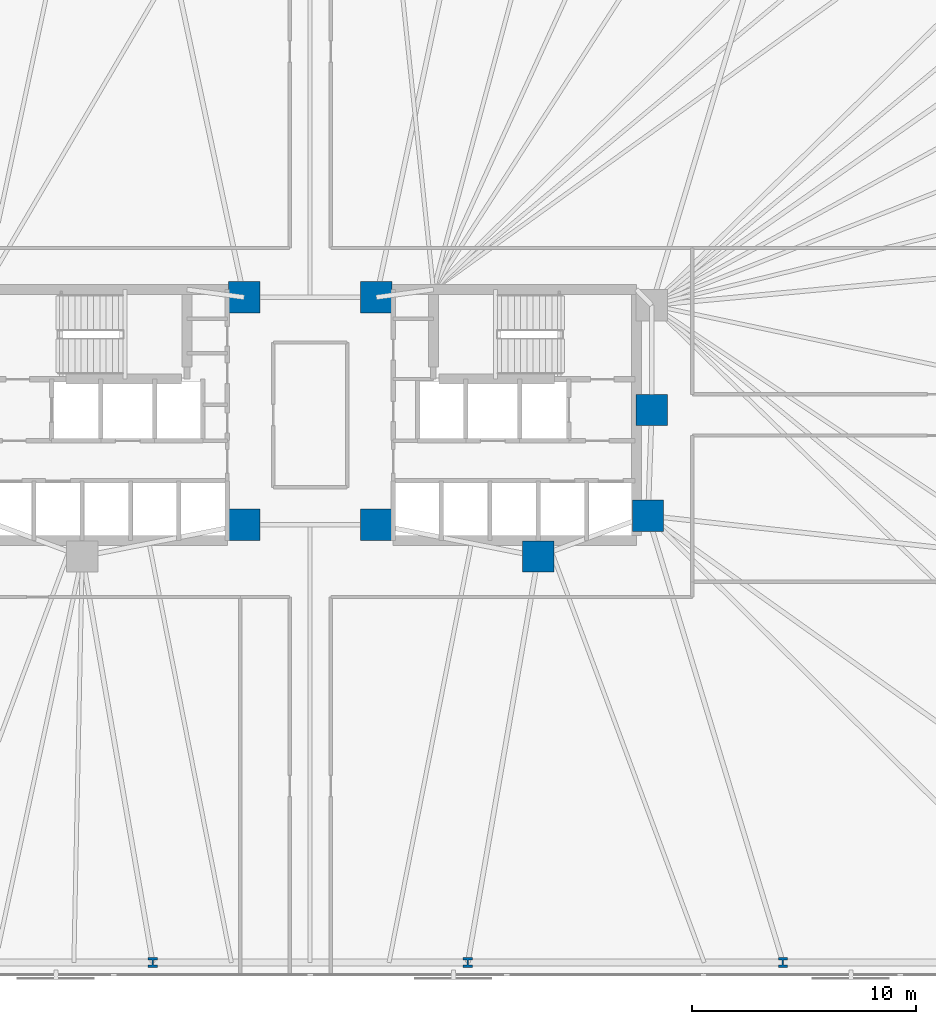
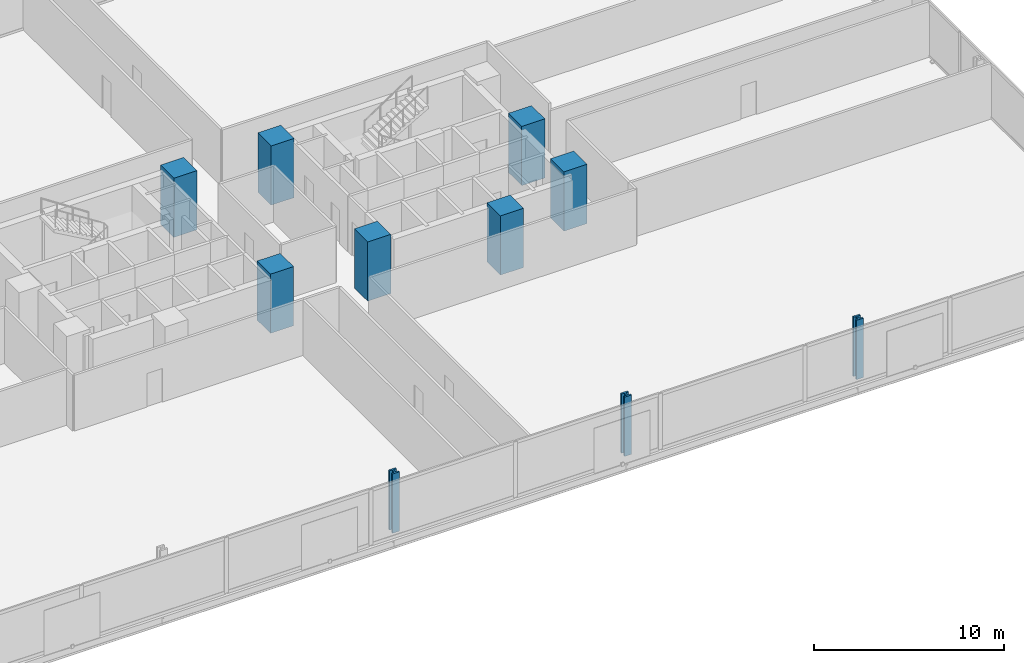
# One storey, part 3 of 16: 10 columns.
"""IFC4 building model written with IfcOpenShell, lengths in metres."""

from ifc_helpers import new_model, si_unit, direction, frame, origin, origin_2d, place, context, subcontext, project, spatial, rectangle, i_section, extrude, material, material_profile, profile_set, type_object, element, save


model = new_model("IFC4")

# Units and contexts
model_context = context("Model", 3, precision=1e-05, world=origin(), true_north=direction((0.0, 1.0)))
body_context = subcontext(model_context, "Body", "Model", "MODEL_VIEW")
ifc_project = project(units=[si_unit("LENGTHUNIT", "METRE"), si_unit("AREAUNIT", "SQUARE_METRE"), si_unit("VOLUMEUNIT", "CUBIC_METRE"), si_unit("PLANEANGLEUNIT", "RADIAN"), si_unit("MASSUNIT", "GRAM", prefix="KILO")], contexts=[model_context])

# Site, building, storey
site_placement = place(None, origin())
site = spatial("IfcSite", under=ifc_project, at=site_placement, CompositionType="ELEMENT")
building_placement = place(site_placement, origin())
building = spatial("IfcBuilding", under=site, at=building_placement, Name="Menara Jurai Vektor", CompositionType="ELEMENT")
storey_placement = place(building_placement, frame((0.0, 0.0, 67.39990234375)))
storey = spatial("IfcBuildingStorey", under=building, at=storey_placement, Name="L16", CompositionType="ELEMENT", Elevation=67.39990234375)

# Columns
ifc_material_1 = material(Name="Concrete C60/75", Category="concrete")
ifc_material_profile_1 = material_profile(ifc_material_1, rectangle(XDim=1.39990234375, YDim=1.39990234375, at=origin_2d()), Name="RC 1400x1400")
ifc_profile_set_1 = profile_set([ifc_material_profile_1], Name="Concrete C60/75")
column_type_1 = type_object("IfcColumnType", Name="STR-COL-RC1400", PredefinedType="COLUMN", material=ifc_profile_set_1)
for number, where, z_axis, x_axis, name in (
    (1, (-2.949951171875, -4.89990234375, 0.0), (0.0, 0.0, 1.0), (1.0, 0.0, 0.0), "Core Spine Column CW-SE L16"),
    (2, (-2.949951171875, 5.25, 0.0), (0.0, 0.0, 1.0), (1.0, 0.0, 0.0), "Core Spine Column CW-NE L16"),
    (3, (15.25, 0.219970703125, 0.0), (0.0, 0.0, 1.0), (1.0, 0.0, 0.0), "Core Spine Column CE-EM L16"),
    (4, (15.080078125, -4.5, 0.0), (0.0, 0.0, 1.0), (1.0, 0.0, 0.0), "Core Spine Column CE-SE L16"),
    (5, (10.179931640625, -6.320068359375, 0.0), (0.0, 0.0, 1.0), (1.0, 0.0, 0.0), "Core Spine Column CE-SM L16"),
    (6, (2.949951171875, -4.89990234375, 0.0), (0.0, 0.0, 1.0), (1.0, 0.0, 0.0), "Core Spine Column CE-SW L16"),
    (7, (2.949951171875, 5.25, 0.0), (0.0, 0.0, 1.0), (1.0, 0.0, 0.0), "Core Spine Column CE-NW L16"),
):
    element("IfcColumn", number, at=place(storey_placement, frame(where, z_axis=z_axis, x_axis=x_axis)), inside=storey, type_object=column_type_1, Name=name, PredefinedType="COLUMN", context=body_context, shape_type="SweptSolid", body=[
        extrude(rectangle(XDim=1.39990234375, YDim=1.39990234375, at=origin_2d()), origin(), (0.0, 0.0, 1.0), 3.800048828125),
    ])
ifc_material_2 = material(Name="Steel S460", Category="steel")
ifc_material_profile_2 = material_profile(ifc_material_2, i_section(OverallWidth=0.419921875, OverallDepth=0.430908203125, WebThickness=0.06494140625, FlangeThickness=0.10595703125, FilletRadius=0.014892578125, at=origin_2d()), Name="HD 400x900")
ifc_profile_set_2 = profile_set([ifc_material_profile_2], Name="Steel S460")
column_type_2 = type_object("IfcColumnType", Name="STR-EXO-BLK1", PredefinedType="COLUMN", material=ifc_profile_set_2)
for number, where, z_axis, x_axis, name in (
    (8, (-7.03564453125, -24.449951171875, 0.0), (0.0, 0.0, 1.0), (1.0, 0.0, 0.0), "Exoskeleton Column BLK1-S3 L16"),
    (9, (7.03564453125, -24.449951171875, 0.0), (0.0, 0.0, 1.0), (1.0, 0.0, 0.0), "Exoskeleton Column BLK1-S4 L16"),
    (10, (21.106689453125, -24.449951171875, 0.0), (0.0, 0.0, 1.0), (1.0, 0.0, 0.0), "Exoskeleton Column BLK1-S5 L16"),
):
    element("IfcColumn", number, at=place(storey_placement, frame(where, z_axis=z_axis, x_axis=x_axis)), inside=storey, type_object=column_type_2, Name=name, PredefinedType="COLUMN", context=body_context, shape_type="SweptSolid", body=[
        extrude(i_section(OverallWidth=0.419921875, OverallDepth=0.430908203125, WebThickness=0.06494140625, FlangeThickness=0.10595703125, FilletRadius=0.014892578125, at=origin_2d()), origin(), (0.0, 0.0, 1.0), 3.800048828125),
    ])

save(model, "model.ifc")
